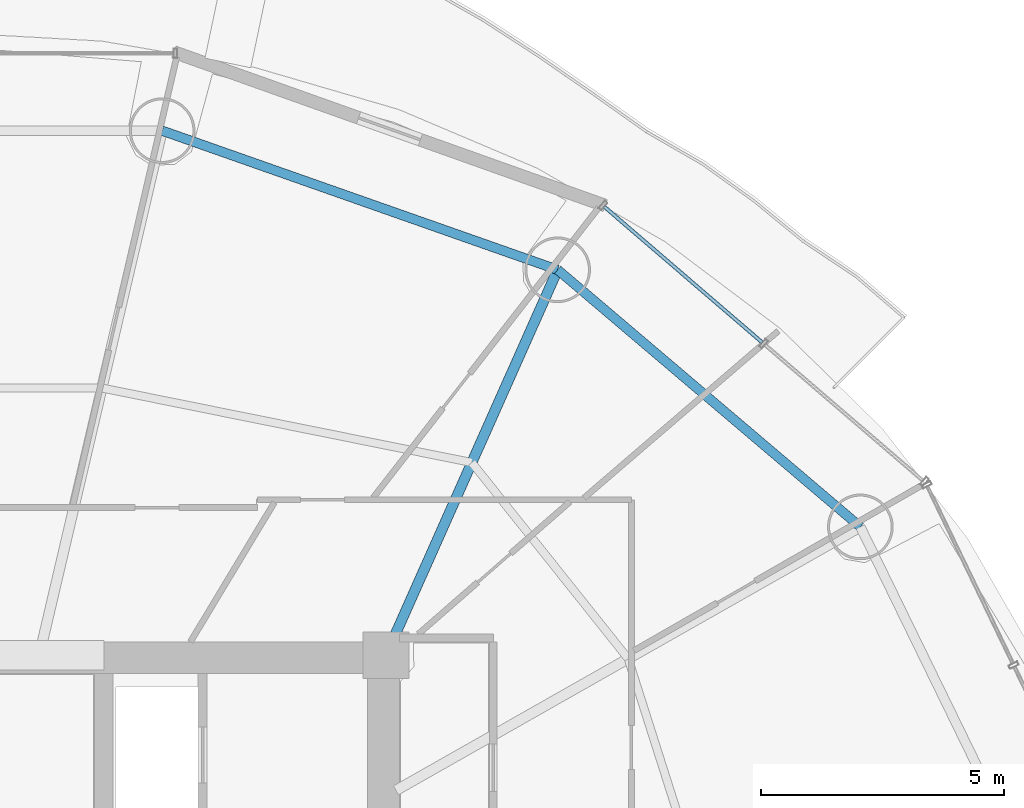
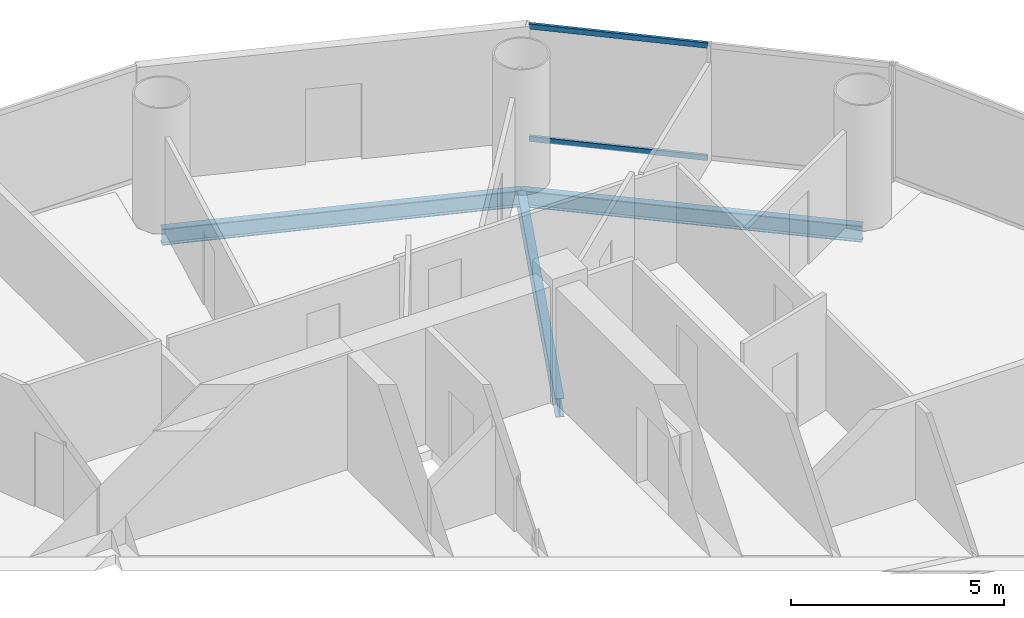
# One storey, part 18 of 27: 3 beams, 2 members, 1 element without a shape of its own.
"""IFC4 building model written with IfcOpenShell, lengths in metres."""

from ifc_helpers import new_model, si_unit, direction, frame, origin, origin_2d, place, context, subcontext, project, spatial, hollow_rectangle, i_section, extrude, source, transform, mapped, material, material_profile, profile_set, type_object, element, aggregate, save


model = new_model("IFC4")

# Units and contexts
model_context = context("Model", 3, precision=1e-05, world=origin(), true_north=direction((-0.2419218956, 0.970295726276)))
body_context = subcontext(model_context, "Body", "Model", "MODEL_VIEW")
ifc_project = project(units=[si_unit("LENGTHUNIT", "METRE"), si_unit("AREAUNIT", "SQUARE_METRE"), si_unit("VOLUMEUNIT", "CUBIC_METRE"), si_unit("PLANEANGLEUNIT", "RADIAN"), si_unit("MASSUNIT", "GRAM", prefix="KILO")], contexts=[model_context])

# Site, building, storey
site_placement = place(None, origin())
site = spatial("IfcSite", under=ifc_project, at=site_placement, CompositionType="ELEMENT")
building_placement = place(site_placement, origin())
building = spatial("IfcBuilding", under=site, at=building_placement, Name="Cobrevalo Terracotta Tower", CompositionType="ELEMENT")
storey_placement = place(building_placement, frame((0.0, 0.0, 164.199951171875)))
storey = spatial("IfcBuildingStorey", under=building, at=storey_placement, Name="L43", CompositionType="ELEMENT", Elevation=164.199951171875)

# Beams
ifc_material_1 = material(Name="Steel S355", Category="steel")
ifc_material_profile_1 = material_profile(ifc_material_1, i_section(OverallWidth=0.2109375, OverallDepth=0.5390625, WebThickness=0.01171875, FlangeThickness=0.018798828125, at=origin_2d()), Name="W 530x109")
ifc_profile_set_1 = profile_set([ifc_material_profile_1], Name="Steel S355")
beam_type_1 = type_object("IfcBeamType", Name="Structural Beam W 530x109 (Steel S355)", PredefinedType="BEAM", material=ifc_profile_set_1)
beam_1_placement = place(storey_placement, frame((50.528076171875, 42.72265625, -0.53955078125), z_axis=(-0.406804395691, -0.913515289224, 0.0), x_axis=(0.913515289224, -0.406804395691, 0.0)))
element("IfcBeam", 1, at=beam_1_placement, inside=storey, type_object=beam_type_1, Name="L43 radial floor girder 03", PredefinedType="BEAM", context=body_context, shape_type="SweptSolid", body=[
    extrude(i_section(OverallWidth=0.2109375, OverallDepth=0.5390625, WebThickness=0.01171875, FlangeThickness=0.018798828125, at=origin_2d()), origin(), (0.0, 0.0, 1.0), 8.672607421875),
])
ifc_material_profile_2 = material_profile(ifc_material_1, i_section(OverallWidth=0.194091796875, OverallDepth=0.468994140625, WebThickness=0.011474609375, FlangeThickness=0.0205078125, at=origin_2d()), Name="W 460x106")
ifc_profile_set_2 = profile_set([ifc_material_profile_2], Name="Steel S355")
beam_type_2 = type_object("IfcBeamType", Name="Structural Spandrel W 460x106 (Steel S355)", PredefinedType="SPANDREL", material=ifc_profile_set_2)
beam_2_placement = place(storey_placement, frame((56.749755859375, 37.439208984375, -0.50439453125), z_axis=(-0.762240337798, 0.647294112003, 0.0), x_axis=(-0.647294112003, -0.762240337798, 0.0)))
element("IfcBeam", 2, at=beam_2_placement, inside=storey, type_object=beam_type_2, Name="L43 perimeter ring spandrel 02", PredefinedType="SPANDREL", context=body_context, shape_type="SweptSolid", body=[
    extrude(i_section(OverallWidth=0.194091796875, OverallDepth=0.468994140625, WebThickness=0.011474609375, FlangeThickness=0.0205078125, at=origin_2d()), origin(), (0.0, 0.0, 1.0), 8.162353515625),
])
beam_3_placement = place(storey_placement, frame((50.528076171875, 42.72265625, -0.50439453125), z_axis=(-0.943341298492, 0.331824041565, 0.0), x_axis=(-0.331824041565, -0.943341298492, 0.0)))
element("IfcBeam", 3, at=beam_3_placement, inside=storey, type_object=beam_type_2, Name="L43 perimeter ring spandrel 03", PredefinedType="SPANDREL", context=body_context, shape_type="SweptSolid", body=[
    extrude(i_section(OverallWidth=0.194091796875, OverallDepth=0.468994140625, WebThickness=0.011474609375, FlangeThickness=0.0205078125, at=origin_2d()), origin(), (0.0, 0.0, 1.0), 8.6171875),
])

# Curtain wall, members
ifc_material_2 = material(Name="Anodized aluminium", Category="aluminium")
curtain_wall_type = type_object("IfcCurtainWallType", Name="Mid-tower high-wind unitised curtain wall CW-U2", PredefinedType="NOTDEFINED", material=ifc_material_2)
curtain_wall_placement = place(storey_placement, origin())
curtain_wall = element("IfcCurtainWall", 4, at=curtain_wall_placement, inside=storey, type_object=curtain_wall_type, Name="L43 curtain wall CW-L43-S02", PredefinedType="NOTDEFINED")
ifc_material_profile_3 = material_profile(ifc_material_2, hollow_rectangle(XDim=0.074951171875, YDim=0.14990234375, WallThickness=0.00439453125, at=origin_2d()), Name="CWT 75x150")
ifc_profile_set_3 = profile_set([ifc_material_profile_3], Name="Anodized aluminium")
member_type = type_object("IfcMemberType", Name="Tower unitised aluminium transom 75x150", PredefinedType="USERDEFINED", material=ifc_profile_set_3)
shared_shape = source(origin(), body_context, "Body", "SweptSolid", [
    extrude(hollow_rectangle(XDim=0.074951171875, YDim=0.14990234375, WallThickness=0.00439453125, at=origin_2d()), origin(), (0.0, 0.0, 1.0), 4.276123046875),
])
member_1_placement = place(storey_placement, frame((54.73193359375, 41.23046875, 0.050048828125), z_axis=(-0.758417719247, 0.651768795764, 0.0), x_axis=(-0.651768795764, -0.758417719247, 0.0)))
member_1 = element("IfcMember", 5, at=member_1_placement, type_object=member_type, Name="CW-L43-S02 transom B02-T1", ObjectType="TRANSOM", PredefinedType="USERDEFINED", context=body_context, shape_type="MappedRepresentation", body=[
    mapped(shared_shape, transform((0.0, 0.0, 0.0), scale=1.0)),
])
member_2_placement = place(storey_placement, frame((54.73193359375, 41.23046875, 3.280029296875), z_axis=(-0.758417719247, 0.651768795764, 0.0), x_axis=(-0.651768795764, -0.758417719247, 0.0)))
member_2 = element("IfcMember", 6, at=member_2_placement, type_object=member_type, Name="CW-L43-S02 transom B02-T2", ObjectType="TRANSOM", PredefinedType="USERDEFINED", context=body_context, shape_type="MappedRepresentation", body=[
    mapped(shared_shape, transform((0.0, 0.0, 0.0), scale=1.0)),
])
aggregate(curtain_wall, [member_1, member_2])

save(model, "model.ifc")
